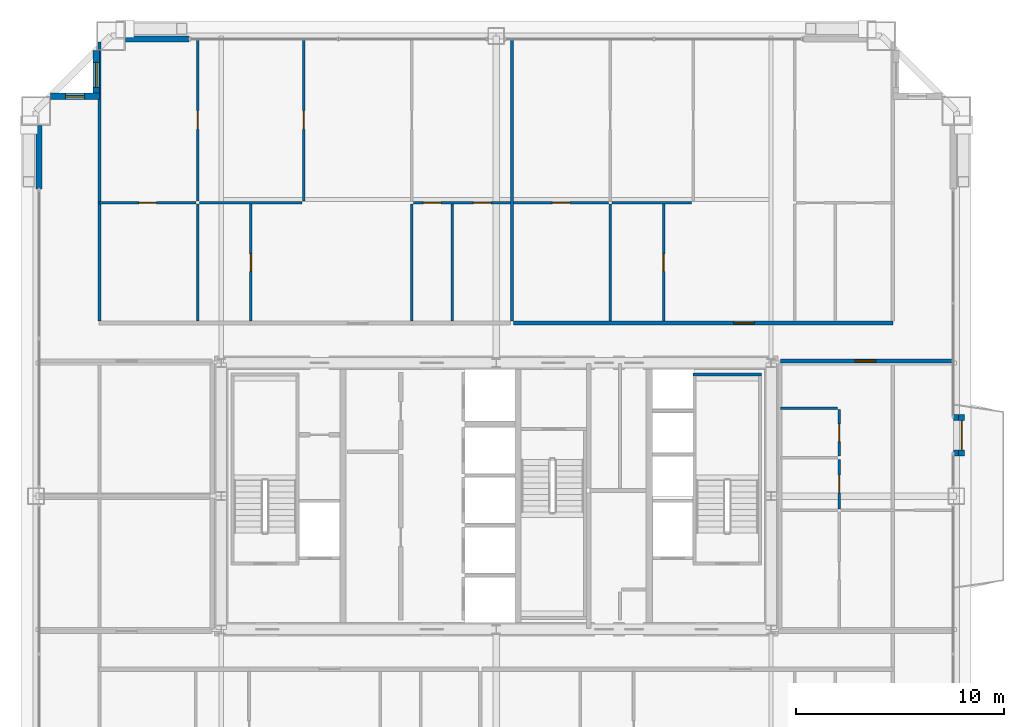
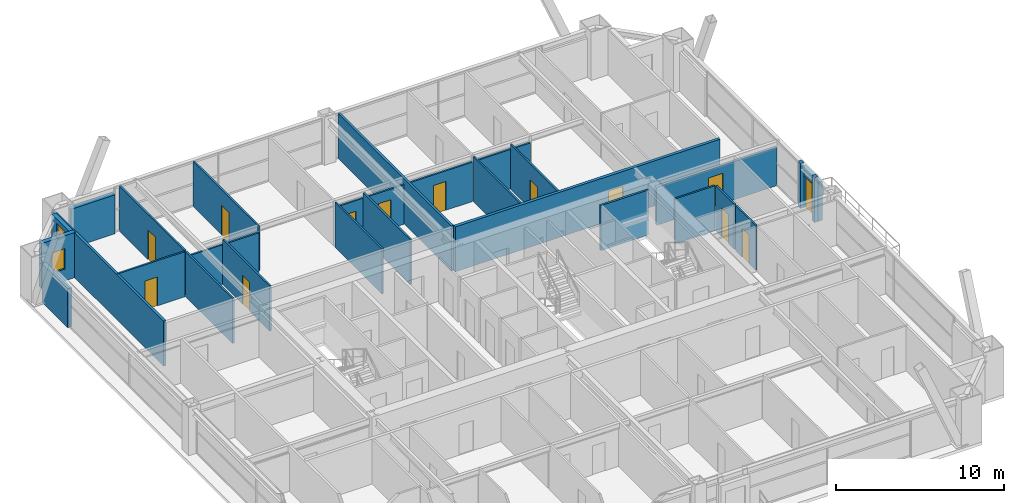
# One storey, part 43 of 45: 28 walls, 13 doors, 2 windows, 15 openings.
"""IFC4 building model written with IfcOpenShell, lengths in metres."""

from ifc_helpers import new_model, si_unit, direction, frame, frame_2d, origin, place, context, subcontext, project, spatial, rectangle, extrude, source, transform, mapped, material, layer, layer_set, type_object, element, fill, save


model = new_model("IFC4")

# Units and contexts
model_context = context("Model", 3, precision=1e-05, world=origin(), true_north=direction((0.0, 1.0)))
body_context = subcontext(model_context, "Body", "Model", "MODEL_VIEW")
ifc_project = project(units=[si_unit("LENGTHUNIT", "METRE"), si_unit("AREAUNIT", "SQUARE_METRE"), si_unit("VOLUMEUNIT", "CUBIC_METRE"), si_unit("PLANEANGLEUNIT", "RADIAN"), si_unit("MASSUNIT", "GRAM", prefix="KILO"), si_unit("THERMODYNAMICTEMPERATUREUNIT", "KELVIN"), si_unit("POWERUNIT", "WATT")], contexts=[model_context])

# Site, building, storey
site_placement = place(None, origin())
site = spatial("IfcSite", under=ifc_project, at=site_placement, CompositionType="ELEMENT")
building_placement = place(site_placement, origin())
building = spatial("IfcBuilding", under=site, at=building_placement, Name="Yuzanri Waterfront Tower", CompositionType="ELEMENT")
storey_placement = place(building_placement, frame((0.0, 0.0, 191.5)))
storey = spatial("IfcBuildingStorey", under=building, at=storey_placement, Name="L50", CompositionType="ELEMENT", Elevation=191.5)

# Wall, opening, door
ifc_material_1 = material(Name="Moisture-Resistant Gypsum Stud Wall", Category="gypsum")
ifc_layer_1 = layer(ifc_material_1, 0.1201171875)
ifc_layer_set_1 = layer_set([ifc_layer_1], Name="Moisture-Resistant Gypsum Stud Wall")
wall_type_1 = type_object("IfcWallType", Name="Bathroom and Kitchen Wet Partition 120", PredefinedType="PARTITIONING", material=ifc_layer_set_1)
wall_1_placement = place(storey_placement, frame((17.93994140625, 39.89990234375, 0.0), z_axis=(0.0, 0.0, 1.0), x_axis=(1.0, 0.0, 0.0)))
wall_1 = element("IfcWall", 1, at=wall_1_placement, inside=storey, type_object=wall_type_1, Name="L50 Partition UW-L50-RN1-SUB-1-N", PredefinedType="PARTITIONING", context=body_context, shape_type="SweptSolid", body=[
    extrude(rectangle(XDim=4.64697265625, YDim=0.1201171875, at=frame_2d((2.323486328125, 0.0))), origin(), (0.0, 0.0, 1.0), 3.280029296875),
])
opening_1_placement = place(wall_1_placement, frame((1.8984375, 0.0, 0.0)))
opening_1 = element("IfcOpeningElement", 2, at=opening_1_placement, cuts=wall_1, Name="Opening ID-0850", PredefinedType="OPENING", context=body_context, shape_type="SweptSolid", body=[
    extrude(rectangle(XDim=0.85009765625, YDim=2.10009765625, at=frame_2d((0.425048828125, 1.050048828125))), frame((0.0, 0.074951171875, 0.0), z_axis=(0.0, -1.0, 0.0), x_axis=(1.0, 0.0, 0.0)), (0.0, 0.0, 1.0), 0.14990234375),
])
ifc_material_2 = material(Name="Moisture-Resistant Lacquered Timber", Category="wood")
door_type_1 = type_object("IfcDoorType", Name="En-Suite Bathroom and Kitchen Swing Door 850x2100", OperationType="NOTDEFINED", PredefinedType="DOOR", material=ifc_material_2)
shared_shape_1 = source(origin(), body_context, "Body", "SweptSolid", [
    extrude(rectangle(XDim=0.85009765625, YDim=2.10009765625, at=frame_2d((0.425048828125, 1.050048828125))), frame((0.0, 0.02490234375, 0.0), z_axis=(0.0, -1.0, 0.0), x_axis=(1.0, 0.0, 0.0)), (0.0, 0.0, 1.0), 0.050048828125),
])
door_1_placement = place(opening_1_placement, origin())
door_1 = element("IfcDoor", 3, at=door_1_placement, inside=storey, type_object=door_type_1, Name="L50 Suite Interior Room Door", OperationType="SINGLE_SWING_LEFT", OverallHeight=2.10009765625, OverallWidth=0.85009765625, PredefinedType="DOOR", context=body_context, shape_type="MappedRepresentation", body=[
    mapped(shared_shape_1, transform((0.0, 0.0, 0.0), scale=1.0)),
])
fill(opening_1, door_1)

wall_2_placement = place(storey_placement, frame((25.22705078125, 34.2099609375, 0.0), z_axis=(0.0, 0.0, 1.0), x_axis=(0.0, 1.0, 0.0)))
wall_2 = element("IfcWall", 4, at=wall_2_placement, inside=storey, type_object=wall_type_1, Name="L50 Partition UW-L50-RN1-SUB-2-E", PredefinedType="PARTITIONING", context=body_context, shape_type="SweptSolid", body=[
    extrude(rectangle(XDim=5.610107421875, YDim=0.1201171875, at=frame_2d((2.80517578125, 0.0))), origin(), (0.0, 0.0, 1.0), 3.280029296875),
])
opening_2_placement = place(wall_2_placement, frame((2.3798828125, 0.0, 0.0)))
opening_2 = element("IfcOpeningElement", 5, at=opening_2_placement, cuts=wall_2, Name="Opening ID-0850", PredefinedType="OPENING", context=body_context, shape_type="SweptSolid", body=[
    extrude(rectangle(XDim=0.85009765625, YDim=2.10009765625, at=frame_2d((0.425048828125, 1.050048828125))), frame((0.0, 0.074951171875, 0.0), z_axis=(0.0, -1.0, 0.0), x_axis=(1.0, 0.0, 0.0)), (0.0, 0.0, 1.0), 0.14990234375),
])
door_2_placement = place(opening_2_placement, origin())
door_2 = element("IfcDoor", 6, at=door_2_placement, inside=storey, type_object=door_type_1, Name="L50 Suite Interior Room Door", OperationType="SINGLE_SWING_RIGHT", OverallHeight=2.10009765625, OverallWidth=0.85009765625, PredefinedType="DOOR", context=body_context, shape_type="MappedRepresentation", body=[
    mapped(shared_shape_1, transform((0.0, 0.0, 0.0), scale=1.0)),
])
fill(opening_2, door_2)

wall_3_placement = place(storey_placement, frame((22.6669921875, 39.97998046875, 0.0), z_axis=(0.0, 0.0, 1.0), x_axis=(0.0, 1.0, 0.0)))
wall_3 = element("IfcWall", 7, at=wall_3_placement, inside=storey, type_object=wall_type_1, Name="L50 Partition UW-L50-RN1-SUB-5-E", PredefinedType="PARTITIONING", context=body_context, shape_type="SweptSolid", body=[
    extrude(rectangle(XDim=7.77001953125, YDim=0.1201171875, at=frame_2d((3.885009765625, 0.0))), origin(), (0.0, 0.0, 1.0), 3.280029296875),
])
opening_3_placement = place(wall_3_placement, frame((3.43505859375, 0.0, 0.0)))
opening_3 = element("IfcOpeningElement", 8, at=opening_3_placement, cuts=wall_3, Name="Opening ID-0900", PredefinedType="OPENING", context=body_context, shape_type="SweptSolid", body=[
    extrude(rectangle(XDim=0.89990234375, YDim=2.14990234375, at=frame_2d((0.449951171875, 1.074951171875))), frame((0.0, 0.074951171875, 0.0), z_axis=(0.0, -1.0, 0.0), x_axis=(1.0, 0.0, 0.0)), (0.0, 0.0, 1.0), 0.14990234375),
])
ifc_material_3 = material(Name="Stained Walnut Veneer Timber", Category="wood")
door_type_2 = type_object("IfcDoorType", Name="Bedroom and Study Interior Swing Door 900x2150", OperationType="NOTDEFINED", PredefinedType="DOOR", material=ifc_material_3)
shared_shape_2 = source(origin(), body_context, "Body", "SweptSolid", [
    extrude(rectangle(XDim=0.89990234375, YDim=2.14990234375, at=frame_2d((0.449951171875, 1.074951171875))), frame((0.0, 0.02490234375, 0.0), z_axis=(0.0, -1.0, 0.0), x_axis=(1.0, 0.0, 0.0)), (0.0, 0.0, 1.0), 0.050048828125),
])
door_3_placement = place(opening_3_placement, origin())
door_3 = element("IfcDoor", 9, at=door_3_placement, inside=storey, type_object=door_type_2, Name="L50 Suite Interior Room Door", OperationType="SINGLE_SWING_LEFT", OverallHeight=2.14990234375, OverallWidth=0.89990234375, PredefinedType="DOOR", context=body_context, shape_type="MappedRepresentation", body=[
    mapped(shared_shape_2, transform((0.0, 0.0, 0.0), scale=1.0)),
])
fill(opening_3, door_3)

# Wall, openings, doors
wall_4_placement = place(storey_placement, frame((33.034912109375, 39.89990234375, 0.0), z_axis=(0.0, 0.0, 1.0), x_axis=(1.0, 0.0, 0.0)))
wall_4 = element("IfcWall", 10, at=wall_4_placement, inside=storey, type_object=wall_type_1, Name="L50 Partition UW-L50-RN1-SUB-6-S", PredefinedType="PARTITIONING", context=body_context, shape_type="SweptSolid", body=[
    extrude(rectangle(XDim=4.64697265625, YDim=0.1201171875, at=frame_2d((2.323486328125, 0.0))), origin(), (0.0, 0.0, 1.0), 2.875),
])
opening_4_placement = place(wall_4_placement, frame((2.8720703125, 0.0, 0.0)))
opening_4 = element("IfcOpeningElement", 11, at=opening_4_placement, cuts=wall_4, Name="Opening ID-0850", PredefinedType="OPENING", context=body_context, shape_type="SweptSolid", body=[
    extrude(rectangle(XDim=0.85009765625, YDim=2.10009765625, at=frame_2d((0.425048828125, 1.050048828125))), frame((0.0, 0.074951171875, 0.0), z_axis=(0.0, -1.0, 0.0), x_axis=(1.0, 0.0, 0.0)), (0.0, 0.0, 1.0), 0.14990234375),
])
opening_5_placement = place(wall_4_placement, frame((0.468505859375, 0.0, 0.0)))
opening_5 = element("IfcOpeningElement", 12, at=opening_5_placement, cuts=wall_4, Name="Opening ID-0850", PredefinedType="OPENING", context=body_context, shape_type="SweptSolid", body=[
    extrude(rectangle(XDim=0.85009765625, YDim=2.10009765625, at=frame_2d((0.425048828125, 1.050048828125))), frame((0.0, 0.074951171875, 0.0), z_axis=(0.0, -1.0, 0.0), x_axis=(1.0, 0.0, 0.0)), (0.0, 0.0, 1.0), 0.14990234375),
])
door_4_placement = place(opening_4_placement, origin())
door_4 = element("IfcDoor", 13, at=door_4_placement, inside=storey, type_object=door_type_1, Name="L50 Suite Interior Room Door", OperationType="SINGLE_SWING_LEFT", OverallHeight=2.10009765625, OverallWidth=0.85009765625, PredefinedType="DOOR", context=body_context, shape_type="MappedRepresentation", body=[
    mapped(shared_shape_1, transform((0.0, 0.0, 0.0), scale=1.0)),
])
fill(opening_4, door_4)
door_5_placement = place(opening_5_placement, origin())
door_5 = element("IfcDoor", 14, at=door_5_placement, inside=storey, type_object=door_type_1, Name="L50 Suite Interior Room Door", OperationType="SINGLE_SWING_RIGHT", OverallHeight=2.10009765625, OverallWidth=0.85009765625, PredefinedType="DOOR", context=body_context, shape_type="MappedRepresentation", body=[
    mapped(shared_shape_1, transform((0.0, 0.0, 0.0), scale=1.0)),
])
fill(opening_5, door_5)

# Wall, opening, door
wall_5_placement = place(storey_placement, frame((27.7548828125, 39.97998046875, 0.0), z_axis=(0.0, 0.0, 1.0), x_axis=(0.0, 1.0, 0.0)))
wall_5 = element("IfcWall", 15, at=wall_5_placement, inside=storey, type_object=wall_type_1, Name="L50 Partition UW-L50-RN1-SUB-7-E", PredefinedType="PARTITIONING", context=body_context, shape_type="SweptSolid", body=[
    extrude(rectangle(XDim=7.77001953125, YDim=0.1201171875, at=frame_2d((3.885009765625, 0.0))), origin(), (0.0, 0.0, 1.0), 3.280029296875),
])
opening_6_placement = place(wall_5_placement, frame((3.43505859375, 0.0, 0.0)))
opening_6 = element("IfcOpeningElement", 16, at=opening_6_placement, cuts=wall_5, Name="Opening ID-0900", PredefinedType="OPENING", context=body_context, shape_type="SweptSolid", body=[
    extrude(rectangle(XDim=0.89990234375, YDim=2.14990234375, at=frame_2d((0.449951171875, 1.074951171875))), frame((0.0, 0.074951171875, 0.0), z_axis=(0.0, -1.0, 0.0), x_axis=(1.0, 0.0, 0.0)), (0.0, 0.0, 1.0), 0.14990234375),
])
door_6_placement = place(opening_6_placement, origin())
door_6 = element("IfcDoor", 17, at=door_6_placement, inside=storey, type_object=door_type_2, Name="L50 Suite Interior Room Door", OperationType="SINGLE_SWING_LEFT", OverallHeight=2.14990234375, OverallWidth=0.89990234375, PredefinedType="DOOR", context=body_context, shape_type="MappedRepresentation", body=[
    mapped(shared_shape_2, transform((0.0, 0.0, 0.0), scale=1.0)),
])
fill(opening_6, door_6)

wall_6_placement = place(storey_placement, frame((37.842041015625, 39.89990234375, 0.0), z_axis=(0.0, 0.0, 1.0), x_axis=(1.0, 0.0, 0.0)))
wall_6 = element("IfcWall", 18, at=wall_6_placement, inside=storey, type_object=wall_type_1, Name="L50 Partition UW-L50-RN2-SUB-1-N", PredefinedType="PARTITIONING", context=body_context, shape_type="SweptSolid", body=[
    extrude(rectangle(XDim=4.553955078125, YDim=0.1201171875, at=frame_2d((2.27685546875, 0.0))), origin(), (0.0, 0.0, 1.0), 2.875),
])
opening_7_placement = place(wall_6_placement, frame((1.85205078125, 0.0, 0.0)))
opening_7 = element("IfcOpeningElement", 19, at=opening_7_placement, cuts=wall_6, Name="Opening ID-0850", PredefinedType="OPENING", context=body_context, shape_type="SweptSolid", body=[
    extrude(rectangle(XDim=0.85009765625, YDim=2.10009765625, at=frame_2d((0.425048828125, 1.050048828125))), frame((0.0, 0.074951171875, 0.0), z_axis=(0.0, -1.0, 0.0), x_axis=(1.0, 0.0, 0.0)), (0.0, 0.0, 1.0), 0.14990234375),
])
door_7_placement = place(opening_7_placement, origin())
door_7 = element("IfcDoor", 20, at=door_7_placement, inside=storey, type_object=door_type_1, Name="L50 Suite Interior Room Door", OperationType="SINGLE_SWING_LEFT", OverallHeight=2.10009765625, OverallWidth=0.85009765625, PredefinedType="DOOR", context=body_context, shape_type="MappedRepresentation", body=[
    mapped(shared_shape_1, transform((0.0, 0.0, 0.0), scale=1.0)),
])
fill(opening_7, door_7)

wall_7_placement = place(storey_placement, frame((45.035888671875, 34.2099609375, 0.0), z_axis=(0.0, 0.0, 1.0), x_axis=(0.0, 1.0, 0.0)))
wall_7 = element("IfcWall", 21, at=wall_7_placement, inside=storey, type_object=wall_type_1, Name="L50 Partition UW-L50-RN2-SUB-2-E", PredefinedType="PARTITIONING", context=body_context, shape_type="SweptSolid", body=[
    extrude(rectangle(XDim=5.610107421875, YDim=0.1201171875, at=frame_2d((2.80517578125, 0.0))), origin(), (0.0, 0.0, 1.0), 3.280029296875),
])
opening_8_placement = place(wall_7_placement, frame((2.3798828125, 0.0, 0.0)))
opening_8 = element("IfcOpeningElement", 22, at=opening_8_placement, cuts=wall_7, Name="Opening ID-0850", PredefinedType="OPENING", context=body_context, shape_type="SweptSolid", body=[
    extrude(rectangle(XDim=0.85009765625, YDim=2.10009765625, at=frame_2d((0.425048828125, 1.050048828125))), frame((0.0, 0.074951171875, 0.0), z_axis=(0.0, -1.0, 0.0), x_axis=(1.0, 0.0, 0.0)), (0.0, 0.0, 1.0), 0.14990234375),
])
door_8_placement = place(opening_8_placement, origin())
door_8 = element("IfcDoor", 23, at=door_8_placement, inside=storey, type_object=door_type_1, Name="L50 Suite Interior Room Door", OperationType="SINGLE_SWING_RIGHT", OverallHeight=2.10009765625, OverallWidth=0.85009765625, PredefinedType="DOOR", context=body_context, shape_type="MappedRepresentation", body=[
    mapped(shared_shape_1, transform((0.0, 0.0, 0.0), scale=1.0)),
])
fill(opening_8, door_8)

wall_8_placement = place(storey_placement, frame((53.47998046875, 25.193115234375, 0.0), z_axis=(0.0, 0.0, 1.0), x_axis=(0.0, 1.0, 0.0)))
wall_8 = element("IfcWall", 24, at=wall_8_placement, inside=storey, type_object=wall_type_1, Name="L50 Partition UW-L50-RE1-SUB-1-E", PredefinedType="PARTITIONING", context=body_context, shape_type="SweptSolid", body=[
    extrude(rectangle(XDim=2.37890625, YDim=0.1201171875, at=frame_2d((1.189453125, 0.0))), origin(), (0.0, 0.0, 1.0), 3.280029296875),
])
opening_9_placement = place(wall_8_placement, frame((0.764404296875, 0.0, 0.0)))
opening_9 = element("IfcOpeningElement", 25, at=opening_9_placement, cuts=wall_8, Name="Opening ID-0850", PredefinedType="OPENING", context=body_context, shape_type="SweptSolid", body=[
    extrude(rectangle(XDim=0.85009765625, YDim=2.10009765625, at=frame_2d((0.425048828125, 1.050048828125))), frame((0.0, 0.074951171875, 0.0), z_axis=(0.0, -1.0, 0.0), x_axis=(1.0, 0.0, 0.0)), (0.0, 0.0, 1.0), 0.14990234375),
])
door_9_placement = place(opening_9_placement, origin())
door_9 = element("IfcDoor", 26, at=door_9_placement, inside=storey, type_object=door_type_1, Name="L50 Suite Interior Room Door", OperationType="SINGLE_SWING_LEFT", OverallHeight=2.10009765625, OverallWidth=0.85009765625, PredefinedType="DOOR", context=body_context, shape_type="MappedRepresentation", body=[
    mapped(shared_shape_1, transform((0.0, 0.0, 0.0), scale=1.0)),
])
fill(opening_9, door_9)

wall_9_placement = place(storey_placement, frame((53.47998046875, 27.73193359375, 0.0), z_axis=(0.0, 0.0, 1.0), x_axis=(0.0, 1.0, 0.0)))
wall_9 = element("IfcWall", 27, at=wall_9_placement, inside=storey, type_object=wall_type_1, Name="L50 Partition UW-L50-RE1-SUB-2-E", PredefinedType="PARTITIONING", context=body_context, shape_type="SweptSolid", body=[
    extrude(rectangle(XDim=2.218994140625, YDim=0.1201171875, at=frame_2d((1.109375, 0.0))), origin(), (0.0, 0.0, 1.0), 3.280029296875),
])
opening_10_placement = place(wall_9_placement, frame((0.6845703125, 0.0, 0.0)))
opening_10 = element("IfcOpeningElement", 28, at=opening_10_placement, cuts=wall_9, Name="Opening ID-0850", PredefinedType="OPENING", context=body_context, shape_type="SweptSolid", body=[
    extrude(rectangle(XDim=0.85009765625, YDim=2.10009765625, at=frame_2d((0.425048828125, 1.050048828125))), frame((0.0, 0.074951171875, 0.0), z_axis=(0.0, -1.0, 0.0), x_axis=(1.0, 0.0, 0.0)), (0.0, 0.0, 1.0), 0.14990234375),
])
door_10_placement = place(opening_10_placement, origin())
door_10 = element("IfcDoor", 29, at=door_10_placement, inside=storey, type_object=door_type_1, Name="L50 Suite Interior Room Door", OperationType="SINGLE_SWING_RIGHT", OverallHeight=2.10009765625, OverallWidth=0.85009765625, PredefinedType="DOOR", context=body_context, shape_type="MappedRepresentation", body=[
    mapped(shared_shape_1, transform((0.0, 0.0, 0.0), scale=1.0)),
])
fill(opening_10, door_10)

# Wall, opening, window
ifc_material_4 = material(Name="Honed Chongqing Dark Basalt Stone", Category="masonry")
ifc_layer_2 = layer(ifc_material_4, 0.300048828125)
ifc_layer_set_2 = layer_set([ifc_layer_2], Name="Honed Chongqing Dark Basalt Stone")
wall_type_2 = type_object("IfcWallType", Name="Bronze Rainscreen Insulated Spandrel Portal Wall 300", PredefinedType="SOLIDWALL", material=ifc_layer_set_2)
wall_10_placement = place(storey_placement, frame((17.949951171875, 45.0, 0.0), z_axis=(0.0, 0.0, 1.0), x_axis=(-1.0, 0.0, 0.0)))
wall_10 = element("IfcWall", 30, at=wall_10_placement, inside=storey, type_object=wall_type_2, Name="L50 Notched Corner Masonry Wall NW-X", PredefinedType="SOLIDWALL", context=body_context, shape_type="SweptSolid", body=[
    extrude(rectangle(XDim=2.349853515625, YDim=0.300048828125, at=frame_2d((1.1748046875, 0.0))), origin(), (0.0, 0.0, 1.0), 3.280029296875),
])
opening_11_placement = place(wall_10_placement, frame((0.72509765625, 0.0, 0.85009765625)))
opening_11 = element("IfcOpeningElement", 31, at=opening_11_placement, cuts=wall_10, Name="Opening WN-05", PredefinedType="OPENING", context=body_context, shape_type="SweptSolid", body=[
    extrude(rectangle(XDim=0.89990234375, YDim=1.5, at=frame_2d((0.449951171875, 0.75))), frame((0.0, 0.1650390625, 0.0), z_axis=(0.0, -1.0, 0.0), x_axis=(1.0, 0.0, 0.0)), (0.0, 0.0, 1.0), 0.329833984375),
])
ifc_material_5 = material(Name="Double-Silver Low-E Insulated Glass", Category="glass")
window_type_1 = type_object("IfcWindowType", Name="Anodized Bronze Service and Stairwell Smoke-Vent Window 900x1500", PartitioningType="SINGLE_PANEL", PredefinedType="WINDOW", material=ifc_material_5)
shared_shape_3 = source(origin(), body_context, "Body", "SweptSolid", [
    extrude(rectangle(XDim=0.89990234375, YDim=1.5, at=frame_2d((0.449951171875, 0.75))), frame((0.0, 0.030029296875, 0.0), z_axis=(0.0, -1.0, 0.0), x_axis=(1.0, 0.0, 0.0)), (0.0, 0.0, 1.0), 0.06005859375),
])
window_1_placement = place(opening_11_placement, origin())
window_1 = element("IfcWindow", 32, at=window_1_placement, inside=storey, type_object=window_type_1, Name="L50 Notched Corner Window NW-X", OverallHeight=1.5, OverallWidth=0.89990234375, PartitioningType="SINGLE_PANEL", PredefinedType="WINDOW", context=body_context, shape_type="MappedRepresentation", body=[
    mapped(shared_shape_3, transform((0.0, 0.0, 0.0), scale=1.0)),
])
fill(opening_11, window_1)

wall_11_placement = place(storey_placement, frame((17.800048828125, 47.199951171875, 0.0), z_axis=(0.0, 0.0, 1.0), x_axis=(0.0, -1.0, 0.0)))
wall_11 = element("IfcWall", 33, at=wall_11_placement, inside=storey, type_object=wall_type_2, Name="L50 Notched Corner Masonry Wall NW-Y", PredefinedType="SOLIDWALL", context=body_context, shape_type="SweptSolid", body=[
    extrude(rectangle(XDim=2.349853515625, YDim=0.300048828125, at=frame_2d((1.1748046875, 0.0))), origin(), (0.0, 0.0, 1.0), 3.280029296875),
])
opening_12_placement = place(wall_11_placement, frame((0.574951171875, 0.0, 0.85009765625)))
opening_12 = element("IfcOpeningElement", 34, at=opening_12_placement, cuts=wall_11, Name="Opening WN-02", PredefinedType="OPENING", context=body_context, shape_type="SweptSolid", body=[
    extrude(rectangle(XDim=1.199951171875, YDim=2.10009765625, at=frame_2d((0.60009765625, 1.050048828125))), frame((0.0, 0.1650390625, 0.0), z_axis=(0.0, -1.0, 0.0), x_axis=(1.0, 0.0, 0.0)), (0.0, 0.0, 1.0), 0.329833984375),
])
ifc_material_6 = material(Name="Double-Silver Low-E Insulated Glass", Category="glass")
window_type_2 = type_object("IfcWindowType", Name="Anodized Bronze Notched Corner Deep-Set Slot Window 1200x2100", PartitioningType="SINGLE_PANEL", PredefinedType="WINDOW", material=ifc_material_6)
shared_shape_4 = source(origin(), body_context, "Body", "SweptSolid", [
    extrude(rectangle(XDim=1.199951171875, YDim=2.10009765625, at=frame_2d((0.60009765625, 1.050048828125))), frame((0.0, 0.030029296875, 0.0), z_axis=(0.0, -1.0, 0.0), x_axis=(1.0, 0.0, 0.0)), (0.0, 0.0, 1.0), 0.06005859375),
])
window_2_placement = place(opening_12_placement, origin())
window_2 = element("IfcWindow", 35, at=window_2_placement, inside=storey, type_object=window_type_2, Name="L50 Notched Corner Window NW-Y", OverallHeight=2.10009765625, OverallWidth=1.199951171875, PartitioningType="SINGLE_PANEL", PredefinedType="WINDOW", context=body_context, shape_type="MappedRepresentation", body=[
    mapped(shared_shape_4, transform((0.0, 0.0, 0.0), scale=1.0)),
])
fill(opening_12, window_2)

# Wall, opening, door
wall_12_placement = place(storey_placement, frame((59.35009765625, 27.72509765625, 0.0), z_axis=(0.0, 0.0, 1.0), x_axis=(0.0, 1.0, 0.0)))
wall_12 = element("IfcWall", 36, at=wall_12_placement, inside=storey, type_object=wall_type_2, Name="L50 E Terrace Door Portal Wall", PredefinedType="SOLIDWALL", context=body_context, shape_type="SweptSolid", body=[
    extrude(rectangle(XDim=2.0, YDim=0.300048828125, at=frame_2d((1.0, 0.0))), origin(), (0.0, 0.0, 1.0), 2.8349609375),
])
opening_13_placement = place(wall_12_placement, frame((0.300048828125, 0.0, 0.0)))
opening_13 = element("IfcOpeningElement", 37, at=opening_13_placement, cuts=wall_12, Name="Opening TD-1400", PredefinedType="OPENING", context=body_context, shape_type="SweptSolid", body=[
    extrude(rectangle(XDim=1.39990234375, YDim=2.300048828125, at=frame_2d((0.699951171875, 1.14990234375))), frame((0.0, 0.1650390625, 0.0), z_axis=(0.0, -1.0, 0.0), x_axis=(1.0, 0.0, 0.0)), (0.0, 0.0, 1.0), 0.329833984375),
])
ifc_material_7 = material(Name="Anodized Architectural Bronze", Category="metal")
door_type_3 = type_object("IfcDoorType", Name="Anodized Bronze Balcony and Terrace Glazed Double Door 1400x2300", OperationType="NOTDEFINED", PredefinedType="DOOR", material=ifc_material_7)
shared_shape_5 = source(origin(), body_context, "Body", "SweptSolid", [
    extrude(rectangle(XDim=1.39990234375, YDim=2.300048828125, at=frame_2d((0.699951171875, 1.14990234375))), frame((0.0, 0.02490234375, 0.0), z_axis=(0.0, -1.0, 0.0), x_axis=(1.0, 0.0, 0.0)), (0.0, 0.0, 1.0), 0.050048828125),
])
door_11_placement = place(opening_13_placement, origin())
door_11 = element("IfcDoor", 38, at=door_11_placement, inside=storey, type_object=door_type_3, Name="L50 E Terrace Glazed Double Door", OperationType="DOUBLE_DOOR_SINGLE_SWING", OverallHeight=2.300048828125, OverallWidth=1.39990234375, PredefinedType="DOOR", context=body_context, shape_type="MappedRepresentation", body=[
    mapped(shared_shape_5, transform((0.0, 0.0, 0.0), scale=1.0)),
])
fill(opening_13, door_11)

ifc_material_8 = material(Name="Autoclaved Aerated Concrete Blockwork", Category="masonry")
ifc_layer_3 = layer(ifc_material_8, 0.199951171875)
ifc_layer_set_3 = layer_set([ifc_layer_3], Name="Autoclaved Aerated Concrete Blockwork")
wall_type_3 = type_object("IfcWallType", Name="Corridor and Unit Party Fire Wall 200", PredefinedType="PARTITIONING", material=ifc_layer_set_3)
wall_13_placement = place(storey_placement, frame((37.842041015625, 34.110107421875, 0.0), z_axis=(0.0, 0.0, 1.0), x_axis=(1.0, 0.0, 0.0)))
wall_13 = element("IfcWall", 39, at=wall_13_placement, inside=storey, type_object=wall_type_3, Name="L50 Partition UW-L50-RN2-CS", PredefinedType="PARTITIONING", context=body_context, shape_type="SweptSolid", body=[
    extrude(rectangle(XDim=18.218017578125, YDim=0.199951171875, at=frame_2d((9.10888671875, 0.0))), origin(), (0.0, 0.0, 1.0), 3.280029296875),
])
opening_14_placement = place(wall_13_placement, frame((10.555908203125, 0.0, 0.0)))
opening_14 = element("IfcOpeningElement", 40, at=opening_14_placement, cuts=wall_13, Name="Opening FD-1000", PredefinedType="OPENING", context=body_context, shape_type="SweptSolid", body=[
    extrude(rectangle(XDim=1.0, YDim=2.199951171875, at=frame_2d((0.5, 1.10009765625))), frame((0.0, 0.11474609375, 0.0), z_axis=(0.0, -1.0, 0.0), x_axis=(1.0, 0.0, 0.0)), (0.0, 0.0, 1.0), 0.229736328125),
])
ifc_material_9 = material(Name="Engineered Oak Fire-Rated Timber", Category="wood")
door_type_4 = type_object("IfcDoorType", Name="Guestroom and Apartment Entrance Fire Door 1000x2200", OperationType="NOTDEFINED", PredefinedType="DOOR", material=ifc_material_9)
shared_shape_6 = source(origin(), body_context, "Body", "SweptSolid", [
    extrude(rectangle(XDim=1.0, YDim=2.199951171875, at=frame_2d((0.5, 1.10009765625))), frame((0.0, 0.02490234375, 0.0), z_axis=(0.0, -1.0, 0.0), x_axis=(1.0, 0.0, 0.0)), (0.0, 0.0, 1.0), 0.050048828125),
])
door_12_placement = place(opening_14_placement, origin())
door_12 = element("IfcDoor", 41, at=door_12_placement, inside=storey, type_object=door_type_4, Name="L50 Apartment Living and Dining Salon Entrance Door", OperationType="SINGLE_SWING_RIGHT", OverallHeight=2.199951171875, OverallWidth=1.0, PredefinedType="DOOR", context=body_context, shape_type="MappedRepresentation", body=[
    mapped(shared_shape_6, transform((0.0, 0.0, 0.0), scale=1.0)),
])
fill(opening_14, door_12)

wall_14_placement = place(storey_placement, frame((50.64990234375, 32.2900390625, 0.0), z_axis=(0.0, 0.0, 1.0), x_axis=(1.0, 0.0, 0.0)))
wall_14 = element("IfcWall", 42, at=wall_14_placement, inside=storey, type_object=wall_type_3, Name="L50 Partition UW-L50-RE1-CN", PredefinedType="PARTITIONING", context=body_context, shape_type="SweptSolid", body=[
    extrude(rectangle(XDim=8.300048828125, YDim=0.199951171875, at=frame_2d((4.14990234375, 0.0))), origin(), (0.0, 0.0, 1.0), 2.77490234375),
])
opening_15_placement = place(wall_14_placement, frame((3.5849609375, 0.0, 0.0)))
opening_15 = element("IfcOpeningElement", 43, at=opening_15_placement, cuts=wall_14, Name="Opening FD-1000", PredefinedType="OPENING", context=body_context, shape_type="SweptSolid", body=[
    extrude(rectangle(XDim=1.0, YDim=2.199951171875, at=frame_2d((0.5, 1.10009765625))), frame((0.0, 0.11474609375, 0.0), z_axis=(0.0, -1.0, 0.0), x_axis=(1.0, 0.0, 0.0)), (0.0, 0.0, 1.0), 0.229736328125),
])
door_13_placement = place(opening_15_placement, origin())
door_13 = element("IfcDoor", 44, at=door_13_placement, inside=storey, type_object=door_type_4, Name="L50 Wing Residence Living and Dining Room Entrance Door", OperationType="SINGLE_SWING_RIGHT", OverallHeight=2.199951171875, OverallWidth=1.0, PredefinedType="DOOR", context=body_context, shape_type="MappedRepresentation", body=[
    mapped(shared_shape_6, transform((0.0, 0.0, 0.0), scale=1.0)),
])
fill(opening_15, door_13)

# Walls
shared_shape_7 = source(origin(), body_context, "Body", "SweptSolid", [
    extrude(rectangle(XDim=3.050048828125, YDim=0.300048828125, at=frame_2d((1.52490234375, 0.0))), origin(), (0.0, 0.0, 1.0), 2.8349609375),
])
for number, where, z_axis, x_axis, name in (
    (45, (19.199951171875, 47.75, 0.0), (0.0, 0.0, 1.0), (1.0, 0.0, 0.0), "L50 N Left Braced Masonry Shoulder"),
    (46, (15.050048828125, 40.550048828125, 0.0), (0.0, 0.0, 1.0), (0.0, 1.0, 0.0), "L50 W Right Braced Masonry Shoulder"),
):
    element("IfcWall", number, at=place(storey_placement, frame(where, z_axis=z_axis, x_axis=x_axis)), inside=storey, type_object=wall_type_2, Name=name, PredefinedType="SOLIDWALL", context=body_context, shape_type="MappedRepresentation", body=[
        mapped(shared_shape_7, transform((0.0, 0.0, 0.0), scale=1.0)),
    ])
shared_shape_8 = source(origin(), body_context, "Body", "SweptSolid", [
    extrude(rectangle(XDim=0.25, YDim=0.300048828125, at=frame_2d((0.125, 0.0))), origin(), (0.0, 0.0, 1.0), 3.280029296875),
])
for number, where, z_axis, x_axis, name in (
    (47, (58.949951171875, 27.875, 0.0), (0.0, 0.0, 1.0), (1.0, 0.0, 0.0), "L50 E Terrace Portal Left Return"),
    (48, (59.199951171875, 29.574951171875, 0.0), (0.0, 0.0, 1.0), (-1.0, 0.0, 0.0), "L50 E Terrace Portal Right Return"),
):
    element("IfcWall", number, at=place(storey_placement, frame(where, z_axis=z_axis, x_axis=x_axis)), inside=storey, type_object=wall_type_2, Name=name, PredefinedType="SOLIDWALL", context=body_context, shape_type="MappedRepresentation", body=[
        mapped(shared_shape_8, transform((0.0, 0.0, 0.0), scale=1.0)),
    ])
ifc_material_10 = material(Name="Concrete C40", Category="concrete")
ifc_layer_4 = layer(ifc_material_10, 0.139892578125)
ifc_layer_set_4 = layer_set([ifc_layer_4], Name="Concrete C40")
wall_type_4 = type_object("IfcWallType", Name="Core Stair Liner and Hoistway Shaft Wall 140", PredefinedType="SOLIDWALL", material=ifc_layer_set_4)
shared_shape_9 = source(origin(), body_context, "Body", "SweptSolid", [
    extrude(rectangle(XDim=3.280029296875, YDim=0.139892578125, at=frame_2d((1.64013671875, 0.0))), origin(), (0.0, 0.0, 1.0), 3.280029296875),
])
wall_15_placement = place(storey_placement, frame((46.4599609375, 31.64990234375, 0.0), z_axis=(0.0, 0.0, 1.0), x_axis=(1.0, 0.0, 0.0)))
element("IfcWall", 49, at=wall_15_placement, inside=storey, type_object=wall_type_4, Name="L50 Stair ST-02 North Shaft Wall", PredefinedType="SOLIDWALL", context=body_context, shape_type="MappedRepresentation", body=[
    mapped(shared_shape_9, transform((0.0, 0.0, 0.0), scale=1.0)),
])
ifc_material_11 = material(Name="Gypsum Fireboard Acoustic Stud Wall", Category="gypsum")
ifc_layer_5 = layer(ifc_material_11, 0.159912109375)
ifc_layer_set_5 = layer_set([ifc_layer_5], Name="Gypsum Fireboard Acoustic Stud Wall")
wall_type_5 = type_object("IfcWallType", Name="Acoustic Suite Demising Partition 160", PredefinedType="PARTITIONING", material=ifc_layer_set_5)
shared_shape_10 = source(origin(), body_context, "Body", "SweptSolid", [
    extrude(rectangle(XDim=13.5400390625, YDim=0.159912109375, at=frame_2d((6.77001953125, 0.0))), origin(), (0.0, 0.0, 1.0), 3.280029296875),
])
wall_16_placement = place(storey_placement, frame((37.761962890625, 34.2099609375, 0.0), z_axis=(0.0, 0.0, 1.0), x_axis=(0.0, 1.0, 0.0)))
element("IfcWall", 50, at=wall_16_placement, inside=storey, type_object=wall_type_5, Name="L50-RN1 Party Wall", PredefinedType="PARTITIONING", context=body_context, shape_type="MappedRepresentation", body=[
    mapped(shared_shape_10, transform((0.0, 0.0, 0.0), scale=1.0)),
])
shared_shape_11 = source(origin(), body_context, "Body", "SweptSolid", [
    extrude(rectangle(XDim=13.39013671875, YDim=0.159912109375, at=frame_2d((6.695068359375, 0.0))), origin(), (0.0, 0.0, 1.0), 3.280029296875),
])
wall_17_placement = place(storey_placement, frame((17.949951171875, 34.2099609375, 0.0), z_axis=(0.0, 0.0, 1.0), x_axis=(0.0, 1.0, 0.0)))
element("IfcWall", 51, at=wall_17_placement, inside=storey, type_object=wall_type_5, Name="L50 North Band West End Wall", PredefinedType="PARTITIONING", context=body_context, shape_type="MappedRepresentation", body=[
    mapped(shared_shape_11, transform((0.0, 0.0, 0.0), scale=1.0)),
])
shared_shape_12 = source(origin(), body_context, "Body", "SweptSolid", [
    extrude(rectangle(XDim=2.75, YDim=0.1201171875, at=frame_2d((1.375, 0.0))), origin(), (0.0, 0.0, 1.0), 3.280029296875),
])
wall_18_placement = place(storey_placement, frame((50.64990234375, 30.031005859375, 0.0), z_axis=(0.0, 0.0, 1.0), x_axis=(1.0, 0.0, 0.0)))
element("IfcWall", 52, at=wall_18_placement, inside=storey, type_object=wall_type_1, Name="L50 Partition UW-L50-RE1-SUB-2-N", PredefinedType="PARTITIONING", context=body_context, shape_type="MappedRepresentation", body=[
    mapped(shared_shape_12, transform((0.0, 0.0, 0.0), scale=1.0)),
])
shared_shape_13 = source(origin(), body_context, "Body", "SweptSolid", [
    extrude(rectangle(XDim=4.927978515625, YDim=0.1201171875, at=frame_2d((2.4638671875, 0.0))), origin(), (0.0, 0.0, 1.0), 2.875),
])
wall_19_placement = place(storey_placement, frame((22.7470703125, 39.89990234375, 0.0), z_axis=(0.0, 0.0, 1.0), x_axis=(1.0, 0.0, 0.0)))
element("IfcWall", 53, at=wall_19_placement, inside=storey, type_object=wall_type_1, Name="L50 Partition UW-L50-RN1-SUB-7-S", PredefinedType="PARTITIONING", context=body_context, shape_type="MappedRepresentation", body=[
    mapped(shared_shape_13, transform((0.0, 0.0, 0.0), scale=1.0)),
])
shared_shape_14 = source(origin(), body_context, "Body", "SweptSolid", [
    extrude(rectangle(XDim=5.610107421875, YDim=0.1201171875, at=frame_2d((2.80517578125, 0.0))), origin(), (0.0, 0.0, 1.0), 3.280029296875),
])
for number, where, z_axis, x_axis, name in (
    (54, (22.6669921875, 34.2099609375, 0.0), (0.0, 0.0, 1.0), (0.0, 1.0, 0.0), "L50 Partition UW-L50-RN1-SUB-1-E"),
    (55, (34.902099609375, 34.2099609375, 0.0), (0.0, 0.0, 1.0), (0.0, 1.0, 0.0), "L50 Partition UW-L50-RN1-SUB-3-W"),
    (56, (32.955078125, 34.2099609375, 0.0), (0.0, 0.0, 1.0), (0.0, 1.0, 0.0), "L50 Partition UW-L50-RN1-SUB-4-W"),
    (57, (42.47607421875, 34.2099609375, 0.0), (0.0, 0.0, 1.0), (0.0, 1.0, 0.0), "L50 Partition UW-L50-RN2-SUB-1-E"),
):
    element("IfcWall", number, at=place(storey_placement, frame(where, z_axis=z_axis, x_axis=x_axis)), inside=storey, type_object=wall_type_1, Name=name, PredefinedType="PARTITIONING", context=body_context, shape_type="MappedRepresentation", body=[
        mapped(shared_shape_14, transform((0.0, 0.0, 0.0), scale=1.0)),
    ])
shared_shape_15 = source(origin(), body_context, "Body", "SweptSolid", [
    extrude(rectangle(XDim=3.8271484375, YDim=0.1201171875, at=frame_2d((1.91357421875, 0.0))), origin(), (0.0, 0.0, 1.0), 2.875),
])
wall_20_placement = place(storey_placement, frame((42.555908203125, 39.89990234375, 0.0), z_axis=(0.0, 0.0, 1.0), x_axis=(1.0, 0.0, 0.0)))
element("IfcWall", 58, at=wall_20_placement, inside=storey, type_object=wall_type_1, Name="L50 Partition UW-L50-RN2-SUB-7-S", PredefinedType="PARTITIONING", context=body_context, shape_type="MappedRepresentation", body=[
    mapped(shared_shape_15, transform((0.0, 0.0, 0.0), scale=1.0)),
])

save(model, "model.ifc")
